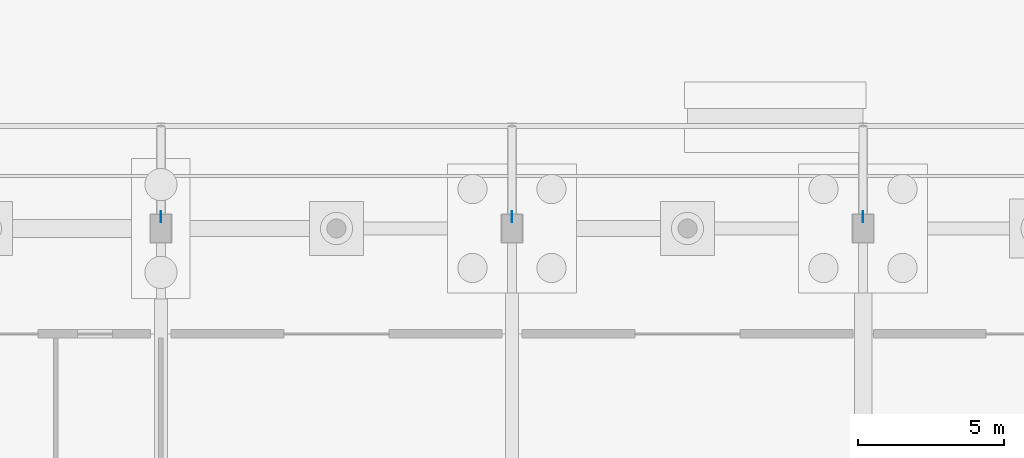
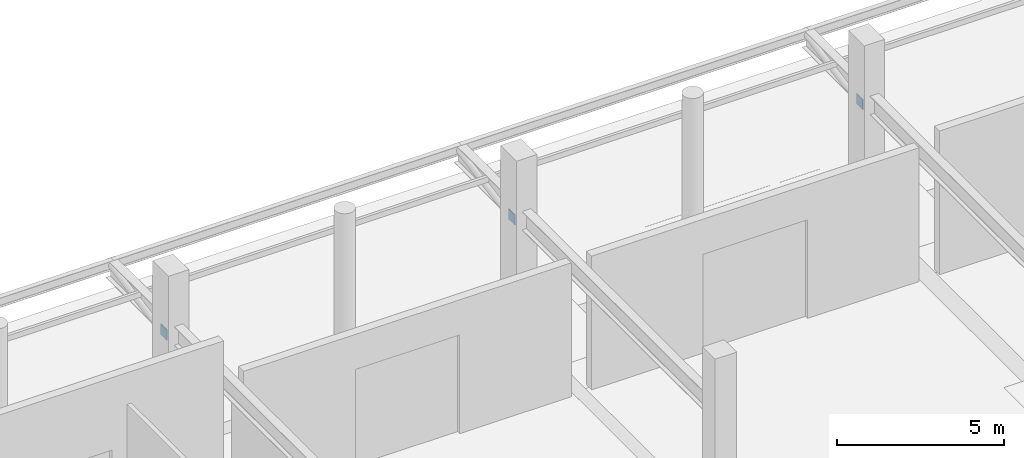
# One storey, part 79 of 117: 3 plates.
"""IFC4 building model written with IfcOpenShell, lengths in metres."""

from ifc_helpers import new_model, si_unit, direction, frame, origin, origin_2d, place, context, subcontext, project, spatial, rectangle, extrude, material, layer, layer_set, type_object, element, save


model = new_model("IFC4")

# Units and contexts
model_context = context("Model", 3, precision=1e-05, world=origin(), true_north=direction((0.0, 1.0)))
body_context = subcontext(model_context, "Body", "Model", "MODEL_VIEW")
ifc_project = project(units=[si_unit("LENGTHUNIT", "METRE"), si_unit("AREAUNIT", "SQUARE_METRE"), si_unit("VOLUMEUNIT", "CUBIC_METRE"), si_unit("PLANEANGLEUNIT", "RADIAN"), si_unit("MASSUNIT", "GRAM", prefix="KILO")], contexts=[model_context])

# Site, building, storey
site_placement = place(None, origin())
site = spatial("IfcSite", under=ifc_project, at=site_placement, CompositionType="ELEMENT")
building_placement = place(site_placement, origin())
building = spatial("IfcBuilding", under=site, at=building_placement, Name="Kamomehara Wholesale Market", CompositionType="ELEMENT")
storey_placement = place(building_placement, origin())
storey = spatial("IfcBuildingStorey", under=building, at=storey_placement, Name="L00", CompositionType="ELEMENT", Elevation=0.0)

# Plates
ifc_material = material(Name="Steel SN490B", Category="steel")
ifc_layer = layer(ifc_material, 0.02490234375)
ifc_layer_set = layer_set([ifc_layer], Name="Steel SN490B")
plate_type = type_object("IfcPlateType", Name="PLT-GUS-25", PredefinedType="USERDEFINED", material=ifc_layer_set)
for number, where, z_axis, x_axis, name in (
    (1, (132.0, 156.39990234375, 3.72998046875), (0.0, 0.0, 1.0), (1.0, 0.0, 0.0), "Canopy gusset plate V1 132"),
    (2, (144.0, 156.39990234375, 3.72998046875), (0.0, 0.0, 1.0), (1.0, 0.0, 0.0), "Canopy gusset plate V1 144"),
    (3, (156.0, 156.39990234375, 3.72998046875), (0.0, 0.0, 1.0), (1.0, 0.0, 0.0), "Canopy gusset plate V1 156"),
):
    element("IfcPlate", number, at=place(storey_placement, frame(where, z_axis=z_axis, x_axis=x_axis)), inside=storey, type_object=plate_type, Name=name, ObjectType="GUSSET PLATE", PredefinedType="USERDEFINED", context=body_context, shape_type="SweptSolid", body=[
        extrude(rectangle(XDim=0.02490234375, YDim=0.3798828125, at=origin_2d()), origin(), (0.0, 0.0, 1.0), 0.3798828125),
    ])

save(model, "model.ifc")
